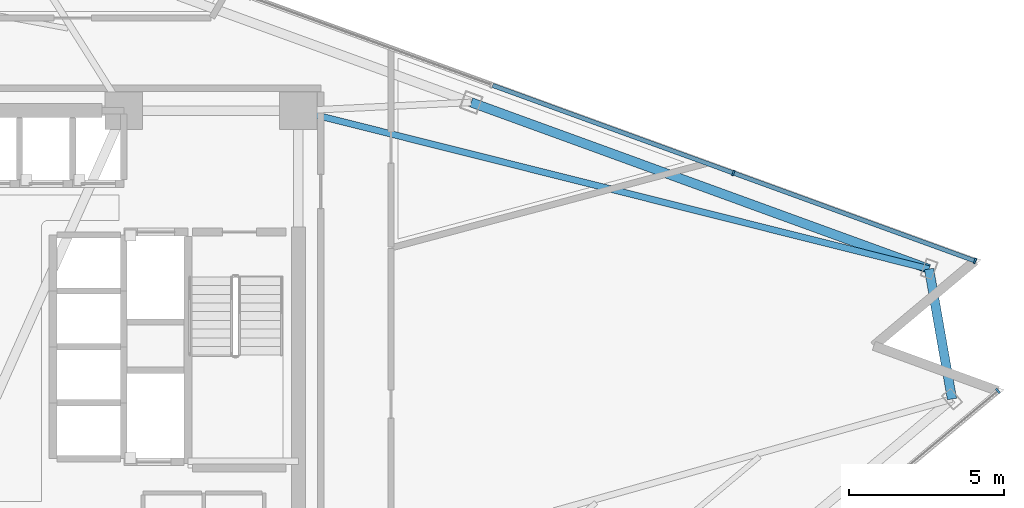
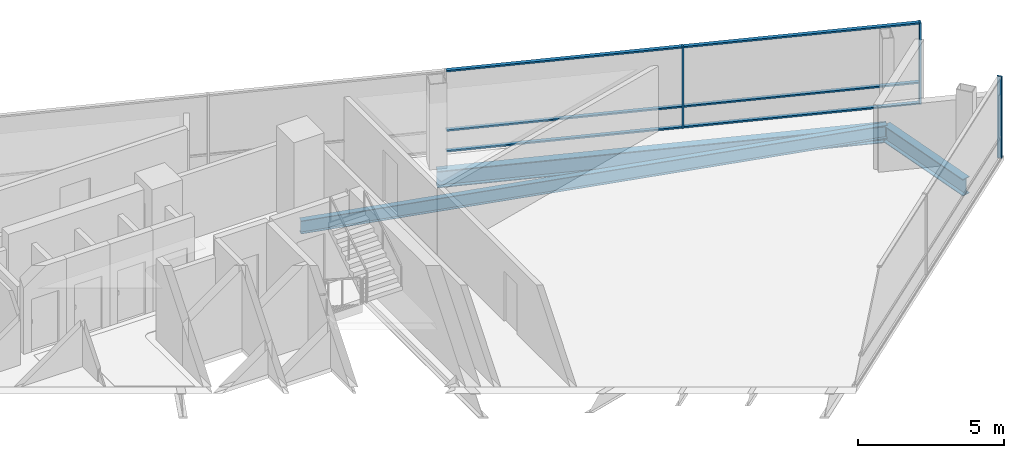
# One storey, part 8 of 15: 9 members, 3 beams, 2 elements without a shape of their own.
"""IFC4 building model written with IfcOpenShell, lengths in metres."""

from ifc_helpers import new_model, si_unit, direction, frame, origin, origin_2d, place, context, subcontext, project, spatial, rectangle, i_section, extrude, material, layer, layer_set, material_profile, profile_set, type_object, element, aggregate, save


model = new_model("IFC4")

# Units and contexts
model_context = context("Model", 3, precision=1e-05, world=origin(), true_north=direction((0.0, 1.0)))
body_context = subcontext(model_context, "Body", "Model", "MODEL_VIEW")
ifc_project = project(units=[si_unit("LENGTHUNIT", "METRE"), si_unit("AREAUNIT", "SQUARE_METRE"), si_unit("VOLUMEUNIT", "CUBIC_METRE"), si_unit("PLANEANGLEUNIT", "RADIAN"), si_unit("MASSUNIT", "GRAM", prefix="KILO")], contexts=[model_context])

# Site, building, storey
site_placement = place(None, origin())
site = spatial("IfcSite", under=ifc_project, at=site_placement, CompositionType="ELEMENT")
building_placement = place(site_placement, origin())
building = spatial("IfcBuilding", under=site, at=building_placement, Name="Tharavind Bronze Gate", CompositionType="ELEMENT")
storey_placement = place(building_placement, frame((0.0, 0.0, 177.699951171875)))
storey = spatial("IfcBuildingStorey", under=building, at=storey_placement, Name="L45", CompositionType="ELEMENT", Elevation=177.699951171875)

# Curtain wall, member
ifc_material_1 = material(Name="Anodised Bronze Aluminium", Category="aluminium")
ifc_layer = layer(ifc_material_1, 0.219970703125)
ifc_layer_set = layer_set([ifc_layer], Name="Anodised Bronze Aluminium")
curtain_wall_type = type_object("IfcCurtainWallType", Name="UNITISED CURTAIN WALL MID OFFICE", PredefinedType="USERDEFINED", material=ifc_layer_set)
curtain_wall_1_placement = place(storey_placement, origin())
curtain_wall_1 = element("IfcCurtainWall", 1, at=curtain_wall_1_placement, inside=storey, type_object=curtain_wall_type, Name="L45 unitised curtain wall mid office CW-L45-S2", ObjectType="UNITISED CURTAIN WALL", PredefinedType="USERDEFINED")
member_type_1 = type_object("IfcMemberType", Name="CURTAIN WALL BRONZE MULLION 65X180", PredefinedType="MULLION", material=ifc_material_1)
member_1_placement = place(storey_placement, frame((31.410888671875, -1.418212890625, 0.0), z_axis=(0.0, 0.0, 1.0), x_axis=(0.766043321242, 0.642788946685, 0.0)))
member_1 = element("IfcMember", 2, at=member_1_placement, type_object=member_type_1, Name="CW-L45-S2 mullion 8", PredefinedType="MULLION", context=body_context, shape_type="SweptSolid", body=[
    extrude(rectangle(XDim=0.06494140625, YDim=0.179931640625, at=origin_2d()), origin(), (0.0, 0.0, 1.0), 3.419921875),
])
aggregate(curtain_wall_1, [member_1])

# Curtain wall, members
curtain_wall_2_placement = place(storey_placement, origin())
curtain_wall_2 = element("IfcCurtainWall", 3, at=curtain_wall_2_placement, inside=storey, type_object=curtain_wall_type, Name="L45 unitised curtain wall mid office CW-L45-S3", ObjectType="UNITISED CURTAIN WALL", PredefinedType="USERDEFINED")
member_2_placement = place(storey_placement, frame((30.67333984375, 2.765380859375, 0.0), z_axis=(0.0, 0.0, 1.0), x_axis=(-0.939692023847, 0.342021783398, 0.0)))
member_2 = element("IfcMember", 4, at=member_2_placement, type_object=member_type_1, Name="CW-L45-S3 mullion 1", PredefinedType="MULLION", context=body_context, shape_type="SweptSolid", body=[
    extrude(rectangle(XDim=0.06494140625, YDim=0.179931640625, at=origin_2d()), origin(), (0.0, 0.0, 1.0), 3.419921875),
])
member_3_placement = place(storey_placement, frame((22.89892578125, 5.594970703125, 0.0), z_axis=(0.0, 0.0, 1.0), x_axis=(-0.939692023847, 0.342021783398, 0.0)))
member_3 = element("IfcMember", 5, at=member_3_placement, type_object=member_type_1, Name="CW-L45-S3 mullion 2", PredefinedType="MULLION", context=body_context, shape_type="SweptSolid", body=[
    extrude(rectangle(XDim=0.06494140625, YDim=0.179931640625, at=origin_2d()), origin(), (0.0, 0.0, 1.0), 3.419921875),
])
member_type_2 = type_object("IfcMemberType", Name="CURTAIN WALL BRONZE TRANSOM 65X140", PredefinedType="USERDEFINED", material=ifc_material_1)
member_4_placement = place(storey_placement, frame((26.7861328125, 4.18017578125, 0.0), z_axis=(0.0, 0.0, 1.0), x_axis=(-0.939692023847, 0.342021783398, 0.0)))
member_4 = element("IfcMember", 6, at=member_4_placement, type_object=member_type_2, Name="CW-L45-S3 transom TB1", ObjectType="TRANSOM", PredefinedType="USERDEFINED", context=body_context, shape_type="SweptSolid", body=[
    extrude(rectangle(XDim=8.220458984375, YDim=0.139892578125, at=origin_2d()), origin(), (0.0, 0.0, 1.0), 0.06494140625),
])
member_5_placement = place(storey_placement, frame((26.7861328125, 4.18017578125, 0.86767578125), z_axis=(0.0, 0.0, 1.0), x_axis=(-0.939692023847, 0.342021783398, 0.0)))
member_5 = element("IfcMember", 7, at=member_5_placement, type_object=member_type_2, Name="CW-L45-S3 transom TS1", ObjectType="TRANSOM", PredefinedType="USERDEFINED", context=body_context, shape_type="SweptSolid", body=[
    extrude(rectangle(XDim=8.220458984375, YDim=0.139892578125, at=origin_2d()), origin(), (0.0, 0.0, 1.0), 0.06494140625),
])
member_6_placement = place(storey_placement, frame((26.7861328125, 4.18017578125, 3.35498046875), z_axis=(0.0, 0.0, 1.0), x_axis=(-0.939692023847, 0.342021783398, 0.0)))
member_6 = element("IfcMember", 8, at=member_6_placement, type_object=member_type_2, Name="CW-L45-S3 transom TT1", ObjectType="TRANSOM", PredefinedType="USERDEFINED", context=body_context, shape_type="SweptSolid", body=[
    extrude(rectangle(XDim=8.220458984375, YDim=0.139892578125, at=origin_2d()), origin(), (0.0, 0.0, 1.0), 0.06494140625),
])
member_7_placement = place(storey_placement, frame((19.01171875, 7.009765625, 0.0), z_axis=(0.0, 0.0, 1.0), x_axis=(-0.939692023847, 0.342021783398, 0.0)))
member_7 = element("IfcMember", 9, at=member_7_placement, type_object=member_type_2, Name="CW-L45-S3 transom TB2", ObjectType="TRANSOM", PredefinedType="USERDEFINED", context=body_context, shape_type="SweptSolid", body=[
    extrude(rectangle(XDim=8.220458984375, YDim=0.139892578125, at=origin_2d()), origin(), (0.0, 0.0, 1.0), 0.06494140625),
])
member_8_placement = place(storey_placement, frame((19.01171875, 7.009765625, 0.86767578125), z_axis=(0.0, 0.0, 1.0), x_axis=(-0.939692023847, 0.342021783398, 0.0)))
member_8 = element("IfcMember", 10, at=member_8_placement, type_object=member_type_2, Name="CW-L45-S3 transom TS2", ObjectType="TRANSOM", PredefinedType="USERDEFINED", context=body_context, shape_type="SweptSolid", body=[
    extrude(rectangle(XDim=8.220458984375, YDim=0.139892578125, at=origin_2d()), origin(), (0.0, 0.0, 1.0), 0.06494140625),
])
member_9_placement = place(storey_placement, frame((19.01171875, 7.009765625, 3.35498046875), z_axis=(0.0, 0.0, 1.0), x_axis=(-0.939692023847, 0.342021783398, 0.0)))
member_9 = element("IfcMember", 11, at=member_9_placement, type_object=member_type_2, Name="CW-L45-S3 transom TT2", ObjectType="TRANSOM", PredefinedType="USERDEFINED", context=body_context, shape_type="SweptSolid", body=[
    extrude(rectangle(XDim=8.220458984375, YDim=0.139892578125, at=origin_2d()), origin(), (0.0, 0.0, 1.0), 0.06494140625),
])
aggregate(curtain_wall_2, [member_2, member_3, member_4, member_5, member_6, member_7, member_8, member_9])

# Beams
ifc_material_2 = material(Name="Steel S355", Category="steel")
ifc_material_profile_1 = material_profile(ifc_material_2, i_section(OverallWidth=0.2099609375, OverallDepth=0.550048828125, WebThickness=0.010986328125, FlangeThickness=0.01708984375, at=origin_2d()), Name="IPE550")
ifc_profile_set_1 = profile_set([ifc_material_profile_1], Name="Steel S355")
beam_type_1 = type_object("IfcBeamType", Name="PRIMARY GIRDER IPE550", PredefinedType="USERDEFINED", material=ifc_profile_set_1)
beam_1_placement = place(storey_placement, frame((29.1962890625, 2.5048828125, -0.454833984375), z_axis=(-0.969904582273, 0.243485320471, 0.0), x_axis=(-0.243485320471, -0.969904582273, 0.0)))
element("IfcBeam", 12, at=beam_1_placement, inside=storey, type_object=beam_type_1, Name="L45 primary girder ipe550 BM-L45-RAD09", ObjectType="GIRDER", PredefinedType="USERDEFINED", context=body_context, shape_type="SweptSolid", body=[
    extrude(i_section(OverallWidth=0.2099609375, OverallDepth=0.550048828125, WebThickness=0.010986328125, FlangeThickness=0.01708984375, at=origin_2d()), origin(), (0.0, 0.0, 1.0), 20.92626953125),
])
ifc_material_profile_2 = material_profile(ifc_material_2, i_section(OverallWidth=0.300048828125, OverallDepth=0.699951171875, WebThickness=0.01708984375, FlangeThickness=0.031982421875, at=origin_2d()), Name="HE700B")
ifc_profile_set_2 = profile_set([ifc_material_profile_2], Name="Steel S355")
beam_type_2 = type_object("IfcBeamType", Name="RING GIRDER HE700B", PredefinedType="USERDEFINED", material=ifc_profile_set_2)
beam_2_placement = place(storey_placement, frame((29.933837890625, -1.6787109375, -0.530029296875), z_axis=(-0.173618127207, 0.984813051246, 0.0), x_axis=(-0.984813051246, -0.173618127207, 0.0)))
element("IfcBeam", 13, at=beam_2_placement, inside=storey, type_object=beam_type_2, Name="L45 ring girder he700b BM-L45-PRG08", ObjectType="GIRDER", PredefinedType="USERDEFINED", context=body_context, shape_type="SweptSolid", body=[
    extrude(i_section(OverallWidth=0.300048828125, OverallDepth=0.699951171875, WebThickness=0.01708984375, FlangeThickness=0.031982421875, at=origin_2d()), origin(), (0.0, 0.0, 1.0), 4.248046875),
])
beam_3_placement = place(storey_placement, frame((29.1962890625, 2.5048828125, -0.530029296875), z_axis=(-0.939694739877, 0.342014321115, 0.0), x_axis=(-0.342014321115, -0.939694739877, 0.0)))
element("IfcBeam", 14, at=beam_3_placement, inside=storey, type_object=beam_type_2, Name="L45 ring girder he700b BM-L45-PRG09", ObjectType="GIRDER", PredefinedType="USERDEFINED", context=body_context, shape_type="SweptSolid", body=[
    extrude(i_section(OverallWidth=0.300048828125, OverallDepth=0.699951171875, WebThickness=0.01708984375, FlangeThickness=0.031982421875, at=origin_2d()), origin(), (0.0, 0.0, 1.0), 15.6806640625),
])

save(model, "model.ifc")
